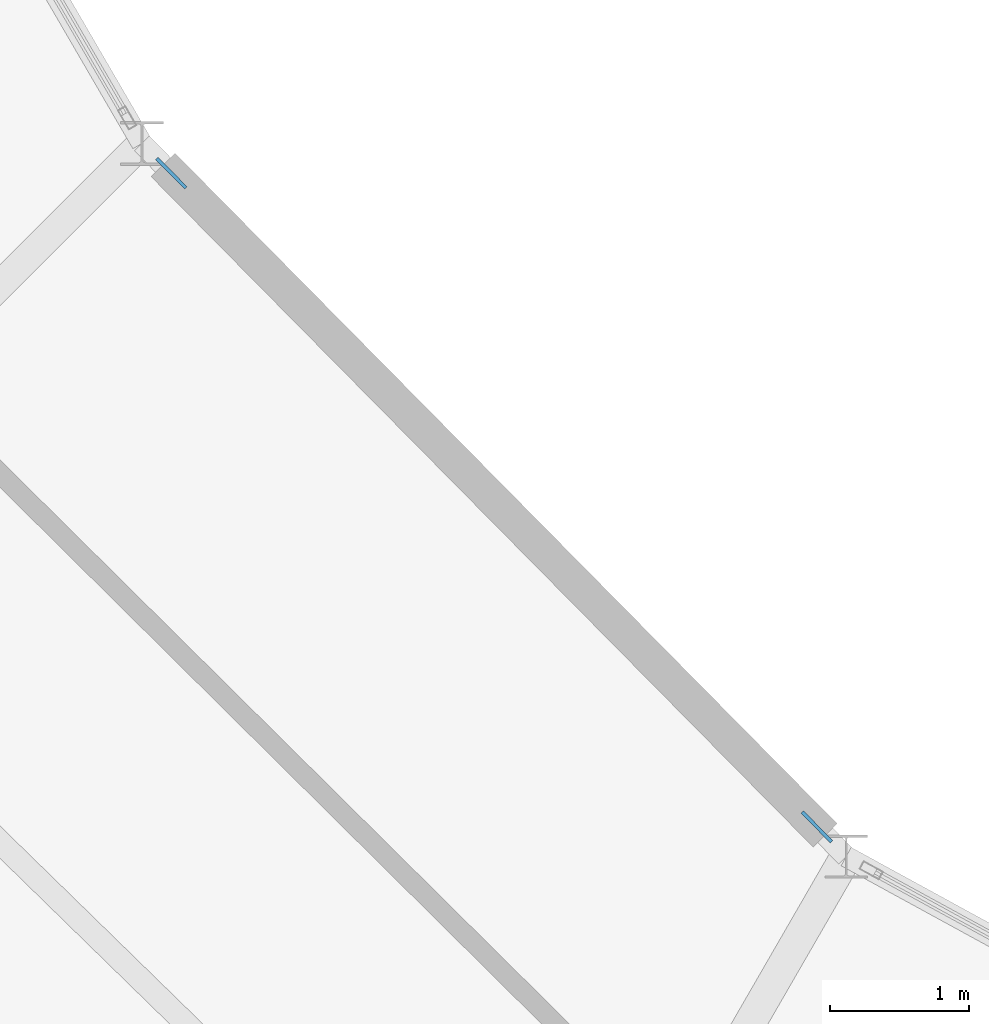
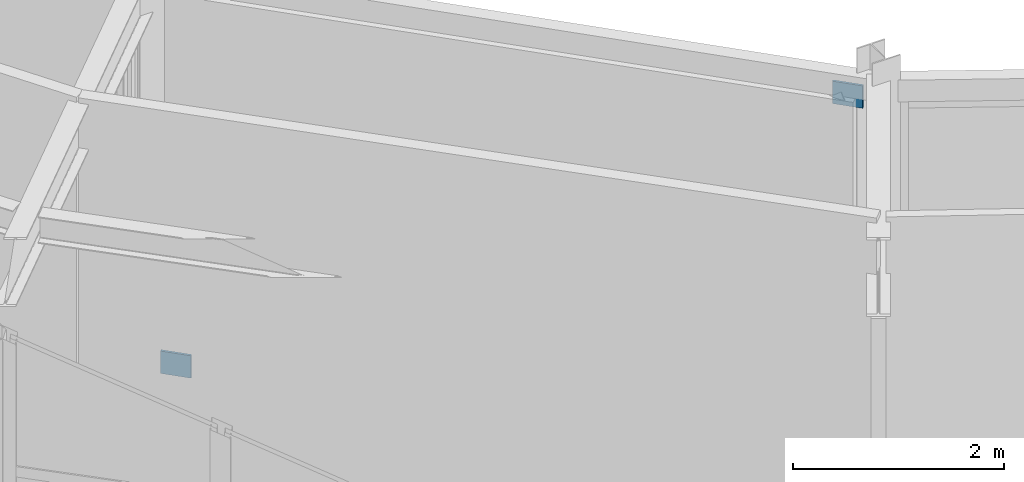
# One storey, part 108 of 144: 2 plates.
"""IFC4 building model written with IfcOpenShell, lengths in metres."""

from ifc_helpers import new_model, si_unit, direction, frame, origin, origin_2d, place, context, subcontext, project, spatial, rectangle, extrude, material, layer, layer_set, type_object, element, save


model = new_model("IFC4")

# Units and contexts
model_context = context("Model", 3, precision=1e-05, world=origin(), true_north=direction((0.0, 1.0)))
body_context = subcontext(model_context, "Body", "Model", "MODEL_VIEW")
ifc_project = project(units=[si_unit("LENGTHUNIT", "METRE"), si_unit("AREAUNIT", "SQUARE_METRE"), si_unit("VOLUMEUNIT", "CUBIC_METRE"), si_unit("PLANEANGLEUNIT", "RADIAN"), si_unit("MASSUNIT", "GRAM", prefix="KILO")], contexts=[model_context])

# Site, building, storey
site_placement = place(None, origin())
site = spatial("IfcSite", under=ifc_project, at=site_placement, CompositionType="ELEMENT")
building_placement = place(site_placement, origin())
building = spatial("IfcBuilding", under=site, at=building_placement, Name="Karori Crest Natural Sciences Institute", CompositionType="ELEMENT")
storey_placement = place(building_placement, origin())
storey = spatial("IfcBuildingStorey", under=building, at=storey_placement, Name="L00", CompositionType="ELEMENT", Elevation=0.0)

# Plates
ifc_material = material(Name="Structural steel AS/NZS 3679.1 Grade 350", Category="steel")
ifc_layer = layer(ifc_material, 0.02490234375, Name="Structural steel AS/NZS 3679.1 Grade 350")
ifc_layer_set = layer_set([ifc_layer], Name="Structural steel AS/NZS 3679.1 Grade 350")
plate_type = type_object("IfcPlateType", Name="PLT-06", PredefinedType="SHEET", material=ifc_layer_set)
for number, where, z_axis, x_axis, name in (
    (1, (49.357421875, 26.917724609375, -0.11962890625), (0.0, 0.0, 1.0), (-0.702663630174, 0.711522187167, 0.0), "Brace gusset plate EP-0013"),
    (2, (53.9892578125, 22.2275390625, 4.220703125), (0.0, 0.0, 1.0), (-0.702663630174, 0.711522187167, 0.0), "Brace gusset plate EP-0014"),
):
    element("IfcPlate", number, at=place(storey_placement, frame(where, z_axis=z_axis, x_axis=x_axis)), inside=storey, type_object=plate_type, Name=name, PredefinedType="SHEET", context=body_context, shape_type="SweptSolid", body=[
        extrude(rectangle(XDim=0.299072265625, YDim=0.02490234375, at=origin_2d()), origin(), (0.0, 0.0, 1.0), 0.259033203125),
    ])

save(model, "model.ifc")
